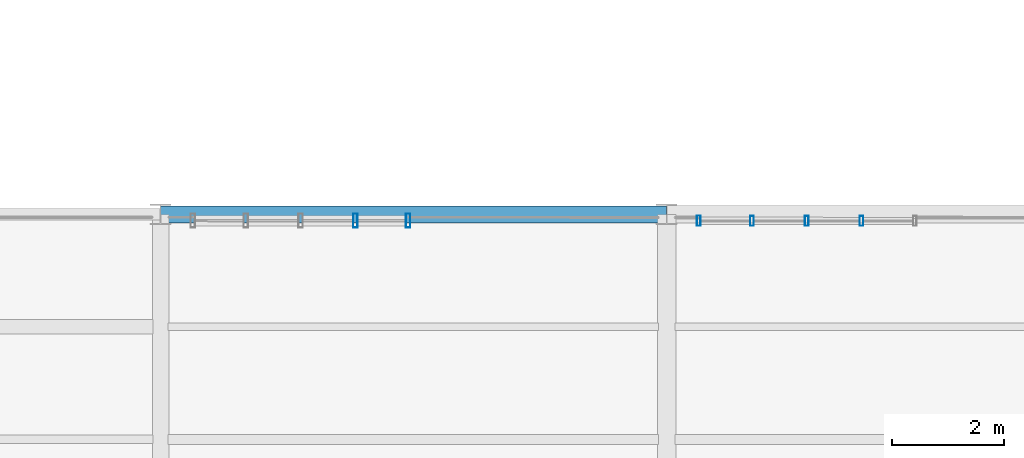
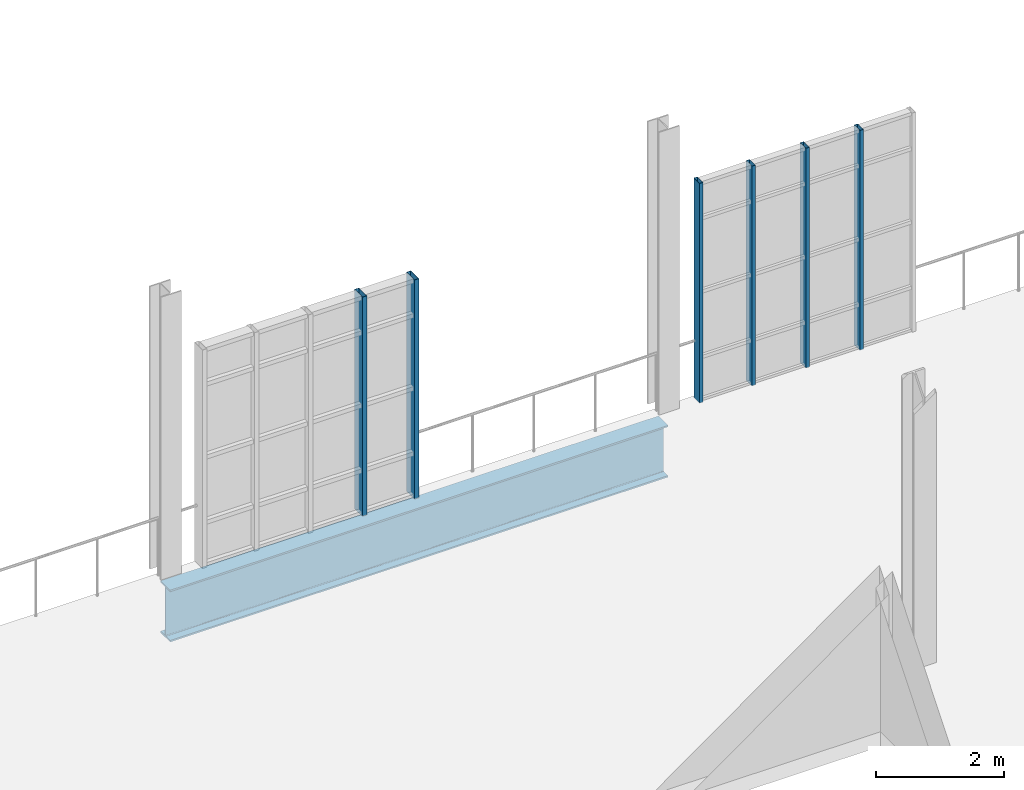
# One storey, part 84 of 142: 6 members, 1 beam, 2 elements without a shape of their own.
"""IFC4 building model written with IfcOpenShell, lengths in metres."""

from ifc_helpers import new_model, si_unit, direction, frame, origin, origin_2d, place, context, subcontext, project, spatial, hollow_rectangle, i_section, extrude, material, layer, layer_set, material_profile, profile_set, type_object, element, aggregate, save


model = new_model("IFC4")

# Units and contexts
model_context = context("Model", 3, precision=1e-05, world=origin(), true_north=direction((0.0, 1.0)))
body_context = subcontext(model_context, "Body", "Model", "MODEL_VIEW")
ifc_project = project(units=[si_unit("LENGTHUNIT", "METRE"), si_unit("AREAUNIT", "SQUARE_METRE"), si_unit("VOLUMEUNIT", "CUBIC_METRE"), si_unit("PLANEANGLEUNIT", "RADIAN"), si_unit("MASSUNIT", "GRAM", prefix="KILO"), si_unit("THERMODYNAMICTEMPERATUREUNIT", "KELVIN"), si_unit("POWERUNIT", "WATT")], contexts=[model_context])

# Site, building, storey
site_placement = place(None, origin())
site = spatial("IfcSite", under=ifc_project, at=site_placement, CompositionType="ELEMENT")
building_placement = place(site_placement, origin())
building = spatial("IfcBuilding", under=site, at=building_placement, Name="Zelmaris Science Centre", CompositionType="ELEMENT")
storey_placement = place(building_placement, frame((0.0, 0.0, 5.39990234375)))
storey = spatial("IfcBuildingStorey", under=building, at=storey_placement, Name="L01", CompositionType="ELEMENT", Elevation=5.39990234375)

# Curtain wall, members
ifc_material_1 = material(Name="Anodised architectural aluminium 6063-T6", Category="aluminium")
ifc_layer_1 = layer(ifc_material_1, 0.2099609375, Name="Anodised architectural aluminium 6063-T6")
ifc_layer_set_1 = layer_set([ifc_layer_1], Name="Anodised architectural aluminium 6063-T6")
curtain_wall_type_1 = type_object("IfcCurtainWallType", Name="Curtain Wall CW-03", PredefinedType="USERDEFINED", material=ifc_layer_set_1)
curtain_wall_1_placement = place(storey_placement, origin())
curtain_wall_1 = element("IfcCurtainWall", 1, at=curtain_wall_1_placement, inside=storey, type_object=curtain_wall_type_1, Name="L01 Unitised curtain wall 147", ObjectType="GLAZED CURTAIN WALL", PredefinedType="USERDEFINED")
ifc_material_profile_1 = material_profile(ifc_material_1, hollow_rectangle(XDim=0.06494140625, YDim=0.179931640625, WallThickness=0.00390625, at=origin_2d()), Name="ALU-MUL-65X180")
ifc_profile_set_1 = profile_set([ifc_material_profile_1], Name="Anodised architectural aluminium 6063-T6")
member_type_1 = type_object("IfcMemberType", Name="ALU-MUL-65X180", PredefinedType="MULLION", material=ifc_profile_set_1)
member_1_placement = place(storey_placement, frame((135.568359375, 55.884033203125, -0.014892578125), z_axis=(0.0, 0.0, 1.0), x_axis=(0.99999988059, -0.000488692171, 0.0)))
member_1 = element("IfcMember", 2, at=member_1_placement, type_object=member_type_1, Name="CW-03 mullion 1", PredefinedType="MULLION", context=body_context, shape_type="SweptSolid", body=[
    extrude(hollow_rectangle(XDim=0.06494140625, YDim=0.179931640625, WallThickness=0.00390625, at=origin_2d()), origin(), (0.0, 0.0, 1.0), 4.200927734375),
])
member_2_placement = place(storey_placement, frame((136.514892578125, 55.883544921875, -0.014892578125), z_axis=(0.0, 0.0, 1.0), x_axis=(0.99999988059, -0.000488692171, 0.0)))
member_2 = element("IfcMember", 3, at=member_2_placement, type_object=member_type_1, Name="CW-03 mullion 2", PredefinedType="MULLION", context=body_context, shape_type="SweptSolid", body=[
    extrude(hollow_rectangle(XDim=0.06494140625, YDim=0.179931640625, WallThickness=0.00390625, at=origin_2d()), origin(), (0.0, 0.0, 1.0), 4.200927734375),
])
member_3_placement = place(storey_placement, frame((137.489990234375, 55.883056640625, -0.014892578125), z_axis=(0.0, 0.0, 1.0), x_axis=(0.99999988059, -0.000488692171, 0.0)))
member_3 = element("IfcMember", 4, at=member_3_placement, type_object=member_type_1, Name="CW-03 mullion 3", PredefinedType="MULLION", context=body_context, shape_type="SweptSolid", body=[
    extrude(hollow_rectangle(XDim=0.06494140625, YDim=0.179931640625, WallThickness=0.00390625, at=origin_2d()), origin(), (0.0, 0.0, 1.0), 4.200927734375),
])
member_4_placement = place(storey_placement, frame((138.46484375, 55.882568359375, -0.014892578125), z_axis=(0.0, 0.0, 1.0), x_axis=(0.99999988059, -0.000488692171, 0.0)))
member_4 = element("IfcMember", 5, at=member_4_placement, type_object=member_type_1, Name="CW-03 mullion 4", PredefinedType="MULLION", context=body_context, shape_type="SweptSolid", body=[
    extrude(hollow_rectangle(XDim=0.06494140625, YDim=0.179931640625, WallThickness=0.00390625, at=origin_2d()), origin(), (0.0, 0.0, 1.0), 4.200927734375),
])
aggregate(curtain_wall_1, [member_1, member_2, member_3, member_4])

ifc_layer_2 = layer(ifc_material_1, 0.18994140625, Name="Anodised architectural aluminium 6063-T6")
ifc_layer_set_2 = layer_set([ifc_layer_2], Name="Anodised architectural aluminium 6063-T6")
curtain_wall_type_2 = type_object("IfcCurtainWallType", Name="Curtain Wall CW-01", PredefinedType="USERDEFINED", material=ifc_layer_set_2)
curtain_wall_2_placement = place(storey_placement, origin())
curtain_wall_2 = element("IfcCurtainWall", 6, at=curtain_wall_2_placement, inside=storey, type_object=curtain_wall_type_2, Name="L01 Unitised curtain wall 145", ObjectType="GLAZED CURTAIN WALL", PredefinedType="USERDEFINED")
ifc_material_profile_2 = material_profile(ifc_material_1, hollow_rectangle(XDim=0.080078125, YDim=0.25, WallThickness=0.0048828125, at=origin_2d()), Name="ALU-MUL-80X250")
ifc_profile_set_2 = profile_set([ifc_material_profile_2], Name="Anodised architectural aluminium 6063-T6")
member_type_2 = type_object("IfcMemberType", Name="ALU-MUL-80X250", PredefinedType="MULLION", material=ifc_profile_set_2)
member_5_placement = place(storey_placement, frame((129.46484375, 55.886962890625, -0.014892578125), z_axis=(0.0, 0.0, 1.0), x_axis=(0.99999988059, -0.000488692171, 0.0)))
member_5 = element("IfcMember", 7, at=member_5_placement, type_object=member_type_2, Name="CW-01 mullion 4", PredefinedType="MULLION", context=body_context, shape_type="SweptSolid", body=[
    extrude(hollow_rectangle(XDim=0.080078125, YDim=0.25, WallThickness=0.0048828125, at=origin_2d()), origin(), (0.0, 0.0, 1.0), 4.18798828125),
])
member_6_placement = place(storey_placement, frame((130.40380859375, 55.88671875, -0.014892578125), z_axis=(0.0, 0.0, 1.0), x_axis=(0.99999988059, -0.000488692171, 0.0)))
member_6 = element("IfcMember", 8, at=member_6_placement, type_object=member_type_2, Name="CW-01 mullion 5", PredefinedType="MULLION", context=body_context, shape_type="SweptSolid", body=[
    extrude(hollow_rectangle(XDim=0.080078125, YDim=0.25, WallThickness=0.0048828125, at=origin_2d()), origin(), (0.0, 0.0, 1.0), 4.18798828125),
])
aggregate(curtain_wall_2, [member_5, member_6])

# Beam
ifc_material_2 = material(Name="Steel ASTM A992 Grade 50", Category="steel")
ifc_material_profile_3 = material_profile(ifc_material_2, i_section(OverallWidth=0.300048828125, OverallDepth=0.990966796875, WebThickness=0.0166015625, FlangeThickness=0.030517578125, FilletRadius=0.02490234375, at=origin_2d()), Name="W40X183")
ifc_profile_set_3 = profile_set([ifc_material_profile_3], Name="Steel ASTM A992 Grade 50")
beam_type = type_object("IfcBeamType", Name="Beam G-24 W40X183", PredefinedType="BEAM", material=ifc_profile_set_3)
beam_placement = place(storey_placement, frame((126.0, 56.0, -0.775390625), z_axis=(1.0, 0.0, 0.0), x_axis=(0.0, 1.0, 0.0)))
element("IfcBeam", 9, at=beam_placement, inside=storey, type_object=beam_type, Name="L01 East-west girder 385", PredefinedType="BEAM", context=body_context, shape_type="SweptSolid", body=[
    extrude(i_section(OverallWidth=0.300048828125, OverallDepth=0.990966796875, WebThickness=0.0166015625, FlangeThickness=0.030517578125, FilletRadius=0.02490234375, at=origin_2d()), origin(), (0.0, 0.0, 1.0), 9.0),
])

save(model, "model.ifc")
